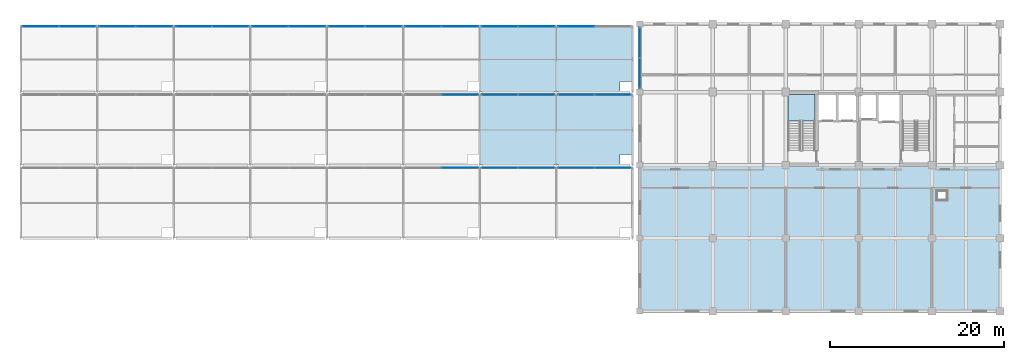
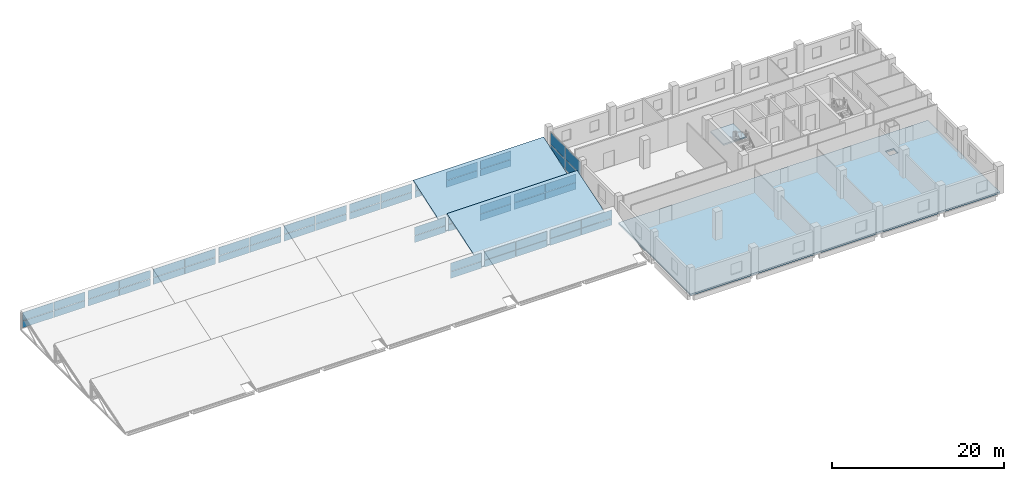
# One storey, part 28 of 40: 54 plates, 4 slabs, 17 elements without a shape of their own.
"""IFC4 building model written with IfcOpenShell, lengths in metres."""

from ifc_helpers import new_model, si_unit, direction, frame, origin, origin_2d, place, context, subcontext, project, spatial, polyline, rectangle, outline, extrude, material, layer, layer_set, type_object, element, aggregate, save


model = new_model("IFC4")

# Units and contexts
model_context = context("Model", 3, precision=1e-05, world=origin(), true_north=direction((0.0, 1.0)))
body_context = subcontext(model_context, "Body", "Model", "MODEL_VIEW")
ifc_project = project(units=[si_unit("LENGTHUNIT", "METRE"), si_unit("AREAUNIT", "SQUARE_METRE"), si_unit("VOLUMEUNIT", "CUBIC_METRE"), si_unit("PLANEANGLEUNIT", "RADIAN"), si_unit("MASSUNIT", "GRAM", prefix="KILO")], contexts=[model_context])

# Site, building, storey
site_placement = place(None, origin())
site = spatial("IfcSite", under=ifc_project, at=site_placement, CompositionType="ELEMENT")
building_placement = place(site_placement, origin())
building = spatial("IfcBuilding", under=site, at=building_placement, Name="Brinegate Botanical Conservatory", CompositionType="ELEMENT")
storey_placement = place(building_placement, frame((0.0, 0.0, 19.199951171875)))
storey = spatial("IfcBuildingStorey", under=building, at=storey_placement, Name="L05", CompositionType="ELEMENT", Elevation=19.199951171875)

# Curtain wall, plates
ifc_material_1 = material(Name="Thermally broken anodised aluminium AW-6063-T6", Category="aluminium")
curtain_wall_type_1 = type_object("IfcCurtainWallType", Name="CW_CW-TW1", PredefinedType="USERDEFINED", material=ifc_material_1)
curtain_wall_1_placement = place(storey_placement, origin())
curtain_wall_1 = element("IfcCurtainWall", 1, at=curtain_wall_1_placement, inside=storey, type_object=curtain_wall_type_1, Name="Tower north-west curtain wall L05", ObjectType="FACTORY CURTAIN WALL", PredefinedType="USERDEFINED")
ifc_material_2 = material(Name="Double-silver Low-E laminated safety glass", Category="glass")
ifc_layer_1 = layer(ifc_material_2, 0.035888671875, Name="Double-silver Low-E laminated safety glass", Category="glass")
ifc_layer_set_1 = layer_set([ifc_layer_1], Name="Double-silver Low-E laminated safety glass")
plate_type_1 = type_object("IfcPlateType", Name="Plate_PN-36", PredefinedType="CURTAIN_PANEL", material=ifc_layer_set_1)
plate_1_placement = place(storey_placement, frame((122.0, 105.77490234375, 0.0703125), z_axis=(0.0, 0.0, 1.0), x_axis=(0.0, 1.0, 0.0)))
plate_1 = element("IfcPlate", 2, at=plate_1_placement, type_object=plate_type_1, Name="CW-TW1 panel 1.1", PredefinedType="CURTAIN_PANEL", context=body_context, shape_type="SweptSolid", body=[
    extrude(rectangle(XDim=3.429931640625, YDim=0.035888671875, at=origin_2d()), origin(), (0.0, 0.0, 1.0), 1.388916015625),
])
plate_2_placement = place(storey_placement, frame((122.0, 105.77490234375, 1.529296875), z_axis=(0.0, 0.0, 1.0), x_axis=(0.0, 1.0, 0.0)))
plate_2 = element("IfcPlate", 3, at=plate_2_placement, type_object=plate_type_1, Name="CW-TW1 panel 1.2", PredefinedType="CURTAIN_PANEL", context=body_context, shape_type="SweptSolid", body=[
    extrude(rectangle(XDim=3.429931640625, YDim=0.035888671875, at=origin_2d()), origin(), (0.0, 0.0, 1.0), 1.720947265625),
])
plate_3_placement = place(storey_placement, frame((122.0, 109.27490234375, 0.0703125), z_axis=(0.0, 0.0, 1.0), x_axis=(0.0, 1.0, 0.0)))
plate_3 = element("IfcPlate", 4, at=plate_3_placement, type_object=plate_type_1, Name="CW-TW1 panel 2.1", PredefinedType="CURTAIN_PANEL", context=body_context, shape_type="SweptSolid", body=[
    extrude(rectangle(XDim=3.429931640625, YDim=0.035888671875, at=origin_2d()), origin(), (0.0, 0.0, 1.0), 1.388916015625),
])
plate_4_placement = place(storey_placement, frame((122.0, 109.27490234375, 1.529296875), z_axis=(0.0, 0.0, 1.0), x_axis=(0.0, 1.0, 0.0)))
plate_4 = element("IfcPlate", 5, at=plate_4_placement, type_object=plate_type_1, Name="CW-TW1 panel 2.2", PredefinedType="CURTAIN_PANEL", context=body_context, shape_type="SweptSolid", body=[
    extrude(rectangle(XDim=3.429931640625, YDim=0.035888671875, at=origin_2d()), origin(), (0.0, 0.0, 1.0), 1.720947265625),
])
aggregate(curtain_wall_1, [plate_1, plate_2, plate_3, plate_4])

curtain_wall_type_2 = type_object("IfcCurtainWallType", Name="CW_CW-SAW", PredefinedType="USERDEFINED", material=ifc_material_1)
curtain_wall_2_placement = place(storey_placement, origin())
curtain_wall_2 = element("IfcCurtainWall", 6, at=curtain_wall_2_placement, inside=storey, type_object=curtain_wall_type_2, Name="Sawtooth north-light clerestory B1.6", ObjectType="FACTORY CURTAIN WALL", PredefinedType="USERDEFINED")
ifc_layer_2 = layer(ifc_material_2, 0.0400390625, Name="Double-silver Low-E laminated safety glass", Category="glass")
ifc_layer_set_2 = layer_set([ifc_layer_2], Name="Double-silver Low-E laminated safety glass")
plate_type_2 = type_object("IfcPlateType", Name="Plate_PN-40", PredefinedType="CURTAIN_PANEL", material=ifc_layer_set_2)
plate_5_placement = place(storey_placement, frame((101.31005859375, 94.89990234375, 0.2099609375), z_axis=(0.0, 0.0, 1.0), x_axis=(1.0, 0.0, 0.0)))
plate_5 = element("IfcPlate", 7, at=plate_5_placement, type_object=plate_type_2, Name="CW-SAW panel 2.1", PredefinedType="CURTAIN_PANEL", context=body_context, shape_type="SweptSolid", body=[
    extrude(rectangle(XDim=4.159912109375, YDim=0.0400390625, at=origin_2d()), origin(), (0.0, 0.0, 1.0), 0.945068359375),
])
plate_6_placement = place(storey_placement, frame((101.31005859375, 94.89990234375, 1.21484375), z_axis=(0.0, 0.0, 1.0), x_axis=(1.0, 0.0, 0.0)))
plate_6 = element("IfcPlate", 8, at=plate_6_placement, type_object=plate_type_2, Name="CW-SAW panel 2.2", PredefinedType="CURTAIN_PANEL", context=body_context, shape_type="SweptSolid", body=[
    extrude(rectangle(XDim=4.159912109375, YDim=0.0400390625, at=origin_2d()), origin(), (0.0, 0.0, 1.0), 1.175048828125),
])
aggregate(curtain_wall_2, [plate_5, plate_6])

curtain_wall_3_placement = place(storey_placement, origin())
curtain_wall_3 = element("IfcCurtainWall", 9, at=curtain_wall_3_placement, inside=storey, type_object=curtain_wall_type_2, Name="Sawtooth north-light clerestory B1.7", ObjectType="FACTORY CURTAIN WALL", PredefinedType="USERDEFINED")
plate_7_placement = place(storey_placement, frame((105.889892578125, 94.89990234375, 0.2099609375), z_axis=(0.0, 0.0, 1.0), x_axis=(1.0, 0.0, 0.0)))
plate_7 = element("IfcPlate", 10, at=plate_7_placement, type_object=plate_type_2, Name="CW-SAW panel 1.1", PredefinedType="CURTAIN_PANEL", context=body_context, shape_type="SweptSolid", body=[
    extrude(rectangle(XDim=4.159912109375, YDim=0.0400390625, at=origin_2d()), origin(), (0.0, 0.0, 1.0), 0.945068359375),
])
plate_8_placement = place(storey_placement, frame((105.889892578125, 94.89990234375, 1.21484375), z_axis=(0.0, 0.0, 1.0), x_axis=(1.0, 0.0, 0.0)))
plate_8 = element("IfcPlate", 11, at=plate_8_placement, type_object=plate_type_2, Name="CW-SAW panel 1.2", PredefinedType="CURTAIN_PANEL", context=body_context, shape_type="SweptSolid", body=[
    extrude(rectangle(XDim=4.159912109375, YDim=0.0400390625, at=origin_2d()), origin(), (0.0, 0.0, 1.0), 1.175048828125),
])
plate_9_placement = place(storey_placement, frame((110.110107421875, 94.89990234375, 0.2099609375), z_axis=(0.0, 0.0, 1.0), x_axis=(1.0, 0.0, 0.0)))
plate_9 = element("IfcPlate", 12, at=plate_9_placement, type_object=plate_type_2, Name="CW-SAW panel 2.1", PredefinedType="CURTAIN_PANEL", context=body_context, shape_type="SweptSolid", body=[
    extrude(rectangle(XDim=4.159912109375, YDim=0.0400390625, at=origin_2d()), origin(), (0.0, 0.0, 1.0), 0.945068359375),
])
plate_10_placement = place(storey_placement, frame((110.110107421875, 94.89990234375, 1.21484375), z_axis=(0.0, 0.0, 1.0), x_axis=(1.0, 0.0, 0.0)))
plate_10 = element("IfcPlate", 13, at=plate_10_placement, type_object=plate_type_2, Name="CW-SAW panel 2.2", PredefinedType="CURTAIN_PANEL", context=body_context, shape_type="SweptSolid", body=[
    extrude(rectangle(XDim=4.159912109375, YDim=0.0400390625, at=origin_2d()), origin(), (0.0, 0.0, 1.0), 1.175048828125),
])
aggregate(curtain_wall_3, [plate_7, plate_8, plate_9, plate_10])

curtain_wall_4_placement = place(storey_placement, origin())
curtain_wall_4 = element("IfcCurtainWall", 14, at=curtain_wall_4_placement, inside=storey, type_object=curtain_wall_type_2, Name="Sawtooth north-light clerestory B1.8", ObjectType="FACTORY CURTAIN WALL", PredefinedType="USERDEFINED")
plate_11_placement = place(storey_placement, frame((114.677490234375, 94.89990234375, 0.2099609375), z_axis=(0.0, 0.0, 1.0), x_axis=(1.0, 0.0, 0.0)))
plate_11 = element("IfcPlate", 15, at=plate_11_placement, type_object=plate_type_2, Name="CW-SAW panel 1.1", PredefinedType="CURTAIN_PANEL", context=body_context, shape_type="SweptSolid", body=[
    extrude(rectangle(XDim=4.135009765625, YDim=0.0400390625, at=origin_2d()), origin(), (0.0, 0.0, 1.0), 0.945068359375),
])
plate_12_placement = place(storey_placement, frame((114.677490234375, 94.89990234375, 1.21484375), z_axis=(0.0, 0.0, 1.0), x_axis=(1.0, 0.0, 0.0)))
plate_12 = element("IfcPlate", 16, at=plate_12_placement, type_object=plate_type_2, Name="CW-SAW panel 1.2", PredefinedType="CURTAIN_PANEL", context=body_context, shape_type="SweptSolid", body=[
    extrude(rectangle(XDim=4.135009765625, YDim=0.0400390625, at=origin_2d()), origin(), (0.0, 0.0, 1.0), 1.175048828125),
])
plate_13_placement = place(storey_placement, frame((118.87255859375, 94.89990234375, 0.2099609375), z_axis=(0.0, 0.0, 1.0), x_axis=(1.0, 0.0, 0.0)))
plate_13 = element("IfcPlate", 17, at=plate_13_placement, type_object=plate_type_2, Name="CW-SAW panel 2.1", PredefinedType="CURTAIN_PANEL", context=body_context, shape_type="SweptSolid", body=[
    extrude(rectangle(XDim=4.135009765625, YDim=0.0400390625, at=origin_2d()), origin(), (0.0, 0.0, 1.0), 0.945068359375),
])
plate_14_placement = place(storey_placement, frame((118.87255859375, 94.89990234375, 1.21484375), z_axis=(0.0, 0.0, 1.0), x_axis=(1.0, 0.0, 0.0)))
plate_14 = element("IfcPlate", 18, at=plate_14_placement, type_object=plate_type_2, Name="CW-SAW panel 2.2", PredefinedType="CURTAIN_PANEL", context=body_context, shape_type="SweptSolid", body=[
    extrude(rectangle(XDim=4.135009765625, YDim=0.0400390625, at=origin_2d()), origin(), (0.0, 0.0, 1.0), 1.175048828125),
])
aggregate(curtain_wall_4, [plate_11, plate_12, plate_13, plate_14])

curtain_wall_5_placement = place(storey_placement, origin())
curtain_wall_5 = element("IfcCurtainWall", 19, at=curtain_wall_5_placement, inside=storey, type_object=curtain_wall_type_2, Name="Sawtooth north-light clerestory B2.6", ObjectType="FACTORY CURTAIN WALL", PredefinedType="USERDEFINED")
plate_15_placement = place(storey_placement, frame((101.31005859375, 103.300048828125, 0.2099609375), z_axis=(0.0, 0.0, 1.0), x_axis=(1.0, 0.0, 0.0)))
plate_15 = element("IfcPlate", 20, at=plate_15_placement, type_object=plate_type_2, Name="CW-SAW panel 2.1", PredefinedType="CURTAIN_PANEL", context=body_context, shape_type="SweptSolid", body=[
    extrude(rectangle(XDim=4.159912109375, YDim=0.0400390625, at=origin_2d()), origin(), (0.0, 0.0, 1.0), 0.945068359375),
])
plate_16_placement = place(storey_placement, frame((101.31005859375, 103.300048828125, 1.21484375), z_axis=(0.0, 0.0, 1.0), x_axis=(1.0, 0.0, 0.0)))
plate_16 = element("IfcPlate", 21, at=plate_16_placement, type_object=plate_type_2, Name="CW-SAW panel 2.2", PredefinedType="CURTAIN_PANEL", context=body_context, shape_type="SweptSolid", body=[
    extrude(rectangle(XDim=4.159912109375, YDim=0.0400390625, at=origin_2d()), origin(), (0.0, 0.0, 1.0), 1.175048828125),
])
aggregate(curtain_wall_5, [plate_15, plate_16])

curtain_wall_6_placement = place(storey_placement, origin())
curtain_wall_6 = element("IfcCurtainWall", 22, at=curtain_wall_6_placement, inside=storey, type_object=curtain_wall_type_2, Name="Sawtooth north-light clerestory B2.7", ObjectType="FACTORY CURTAIN WALL", PredefinedType="USERDEFINED")
plate_17_placement = place(storey_placement, frame((105.889892578125, 103.300048828125, 0.2099609375), z_axis=(0.0, 0.0, 1.0), x_axis=(1.0, 0.0, 0.0)))
plate_17 = element("IfcPlate", 23, at=plate_17_placement, type_object=plate_type_2, Name="CW-SAW panel 1.1", PredefinedType="CURTAIN_PANEL", context=body_context, shape_type="SweptSolid", body=[
    extrude(rectangle(XDim=4.159912109375, YDim=0.0400390625, at=origin_2d()), origin(), (0.0, 0.0, 1.0), 0.945068359375),
])
plate_18_placement = place(storey_placement, frame((105.889892578125, 103.300048828125, 1.21484375), z_axis=(0.0, 0.0, 1.0), x_axis=(1.0, 0.0, 0.0)))
plate_18 = element("IfcPlate", 24, at=plate_18_placement, type_object=plate_type_2, Name="CW-SAW panel 1.2", PredefinedType="CURTAIN_PANEL", context=body_context, shape_type="SweptSolid", body=[
    extrude(rectangle(XDim=4.159912109375, YDim=0.0400390625, at=origin_2d()), origin(), (0.0, 0.0, 1.0), 1.175048828125),
])
plate_19_placement = place(storey_placement, frame((110.110107421875, 103.300048828125, 0.2099609375), z_axis=(0.0, 0.0, 1.0), x_axis=(1.0, 0.0, 0.0)))
plate_19 = element("IfcPlate", 25, at=plate_19_placement, type_object=plate_type_2, Name="CW-SAW panel 2.1", PredefinedType="CURTAIN_PANEL", context=body_context, shape_type="SweptSolid", body=[
    extrude(rectangle(XDim=4.159912109375, YDim=0.0400390625, at=origin_2d()), origin(), (0.0, 0.0, 1.0), 0.945068359375),
])
plate_20_placement = place(storey_placement, frame((110.110107421875, 103.300048828125, 1.21484375), z_axis=(0.0, 0.0, 1.0), x_axis=(1.0, 0.0, 0.0)))
plate_20 = element("IfcPlate", 26, at=plate_20_placement, type_object=plate_type_2, Name="CW-SAW panel 2.2", PredefinedType="CURTAIN_PANEL", context=body_context, shape_type="SweptSolid", body=[
    extrude(rectangle(XDim=4.159912109375, YDim=0.0400390625, at=origin_2d()), origin(), (0.0, 0.0, 1.0), 1.175048828125),
])
aggregate(curtain_wall_6, [plate_17, plate_18, plate_19, plate_20])

curtain_wall_7_placement = place(storey_placement, origin())
curtain_wall_7 = element("IfcCurtainWall", 27, at=curtain_wall_7_placement, inside=storey, type_object=curtain_wall_type_2, Name="Sawtooth north-light clerestory B2.8", ObjectType="FACTORY CURTAIN WALL", PredefinedType="USERDEFINED")
plate_21_placement = place(storey_placement, frame((114.677490234375, 103.300048828125, 0.2099609375), z_axis=(0.0, 0.0, 1.0), x_axis=(1.0, 0.0, 0.0)))
plate_21 = element("IfcPlate", 28, at=plate_21_placement, type_object=plate_type_2, Name="CW-SAW panel 1.1", PredefinedType="CURTAIN_PANEL", context=body_context, shape_type="SweptSolid", body=[
    extrude(rectangle(XDim=4.135009765625, YDim=0.0400390625, at=origin_2d()), origin(), (0.0, 0.0, 1.0), 0.945068359375),
])
plate_22_placement = place(storey_placement, frame((114.677490234375, 103.300048828125, 1.21484375), z_axis=(0.0, 0.0, 1.0), x_axis=(1.0, 0.0, 0.0)))
plate_22 = element("IfcPlate", 29, at=plate_22_placement, type_object=plate_type_2, Name="CW-SAW panel 1.2", PredefinedType="CURTAIN_PANEL", context=body_context, shape_type="SweptSolid", body=[
    extrude(rectangle(XDim=4.135009765625, YDim=0.0400390625, at=origin_2d()), origin(), (0.0, 0.0, 1.0), 1.175048828125),
])
plate_23_placement = place(storey_placement, frame((118.87255859375, 103.300048828125, 0.2099609375), z_axis=(0.0, 0.0, 1.0), x_axis=(1.0, 0.0, 0.0)))
plate_23 = element("IfcPlate", 30, at=plate_23_placement, type_object=plate_type_2, Name="CW-SAW panel 2.1", PredefinedType="CURTAIN_PANEL", context=body_context, shape_type="SweptSolid", body=[
    extrude(rectangle(XDim=4.135009765625, YDim=0.0400390625, at=origin_2d()), origin(), (0.0, 0.0, 1.0), 0.945068359375),
])
plate_24_placement = place(storey_placement, frame((118.87255859375, 103.300048828125, 1.21484375), z_axis=(0.0, 0.0, 1.0), x_axis=(1.0, 0.0, 0.0)))
plate_24 = element("IfcPlate", 31, at=plate_24_placement, type_object=plate_type_2, Name="CW-SAW panel 2.2", PredefinedType="CURTAIN_PANEL", context=body_context, shape_type="SweptSolid", body=[
    extrude(rectangle(XDim=4.135009765625, YDim=0.0400390625, at=origin_2d()), origin(), (0.0, 0.0, 1.0), 1.175048828125),
])
aggregate(curtain_wall_7, [plate_21, plate_22, plate_23, plate_24])

curtain_wall_8_placement = place(storey_placement, origin())
curtain_wall_8 = element("IfcCurtainWall", 32, at=curtain_wall_8_placement, inside=storey, type_object=curtain_wall_type_2, Name="Sawtooth north-light clerestory B3.1", ObjectType="FACTORY CURTAIN WALL", PredefinedType="USERDEFINED")
plate_25_placement = place(storey_placement, frame((53.090087890625, 111.14990234375, 0.2099609375), z_axis=(0.0, 0.0, 1.0), x_axis=(1.0, 0.0, 0.0)))
plate_25 = element("IfcPlate", 33, at=plate_25_placement, type_object=plate_type_2, Name="CW-SAW panel 1.1", PredefinedType="CURTAIN_PANEL", context=body_context, shape_type="SweptSolid", body=[
    extrude(rectangle(XDim=4.159912109375, YDim=0.0400390625, at=origin_2d()), origin(), (0.0, 0.0, 1.0), 0.945068359375),
])
plate_26_placement = place(storey_placement, frame((53.090087890625, 111.14990234375, 1.21484375), z_axis=(0.0, 0.0, 1.0), x_axis=(1.0, 0.0, 0.0)))
plate_26 = element("IfcPlate", 34, at=plate_26_placement, type_object=plate_type_2, Name="CW-SAW panel 1.2", PredefinedType="CURTAIN_PANEL", context=body_context, shape_type="SweptSolid", body=[
    extrude(rectangle(XDim=4.159912109375, YDim=0.0400390625, at=origin_2d()), origin(), (0.0, 0.0, 1.0), 1.175048828125),
])
plate_27_placement = place(storey_placement, frame((57.31005859375, 111.14990234375, 0.2099609375), z_axis=(0.0, 0.0, 1.0), x_axis=(1.0, 0.0, 0.0)))
plate_27 = element("IfcPlate", 35, at=plate_27_placement, type_object=plate_type_2, Name="CW-SAW panel 2.1", PredefinedType="CURTAIN_PANEL", context=body_context, shape_type="SweptSolid", body=[
    extrude(rectangle(XDim=4.159912109375, YDim=0.0400390625, at=origin_2d()), origin(), (0.0, 0.0, 1.0), 0.945068359375),
])
plate_28_placement = place(storey_placement, frame((57.31005859375, 111.14990234375, 1.21484375), z_axis=(0.0, 0.0, 1.0), x_axis=(1.0, 0.0, 0.0)))
plate_28 = element("IfcPlate", 36, at=plate_28_placement, type_object=plate_type_2, Name="CW-SAW panel 2.2", PredefinedType="CURTAIN_PANEL", context=body_context, shape_type="SweptSolid", body=[
    extrude(rectangle(XDim=4.159912109375, YDim=0.0400390625, at=origin_2d()), origin(), (0.0, 0.0, 1.0), 1.175048828125),
])
aggregate(curtain_wall_8, [plate_25, plate_26, plate_27, plate_28])

curtain_wall_9_placement = place(storey_placement, origin())
curtain_wall_9 = element("IfcCurtainWall", 37, at=curtain_wall_9_placement, inside=storey, type_object=curtain_wall_type_2, Name="Sawtooth north-light clerestory B3.2", ObjectType="FACTORY CURTAIN WALL", PredefinedType="USERDEFINED")
plate_29_placement = place(storey_placement, frame((61.889892578125, 111.14990234375, 0.2099609375), z_axis=(0.0, 0.0, 1.0), x_axis=(1.0, 0.0, 0.0)))
plate_29 = element("IfcPlate", 38, at=plate_29_placement, type_object=plate_type_2, Name="CW-SAW panel 1.1", PredefinedType="CURTAIN_PANEL", context=body_context, shape_type="SweptSolid", body=[
    extrude(rectangle(XDim=4.159912109375, YDim=0.0400390625, at=origin_2d()), origin(), (0.0, 0.0, 1.0), 0.945068359375),
])
plate_30_placement = place(storey_placement, frame((61.889892578125, 111.14990234375, 1.21484375), z_axis=(0.0, 0.0, 1.0), x_axis=(1.0, 0.0, 0.0)))
plate_30 = element("IfcPlate", 39, at=plate_30_placement, type_object=plate_type_2, Name="CW-SAW panel 1.2", PredefinedType="CURTAIN_PANEL", context=body_context, shape_type="SweptSolid", body=[
    extrude(rectangle(XDim=4.159912109375, YDim=0.0400390625, at=origin_2d()), origin(), (0.0, 0.0, 1.0), 1.175048828125),
])
plate_31_placement = place(storey_placement, frame((66.110107421875, 111.14990234375, 0.2099609375), z_axis=(0.0, 0.0, 1.0), x_axis=(1.0, 0.0, 0.0)))
plate_31 = element("IfcPlate", 40, at=plate_31_placement, type_object=plate_type_2, Name="CW-SAW panel 2.1", PredefinedType="CURTAIN_PANEL", context=body_context, shape_type="SweptSolid", body=[
    extrude(rectangle(XDim=4.159912109375, YDim=0.0400390625, at=origin_2d()), origin(), (0.0, 0.0, 1.0), 0.945068359375),
])
plate_32_placement = place(storey_placement, frame((66.110107421875, 111.14990234375, 1.21484375), z_axis=(0.0, 0.0, 1.0), x_axis=(1.0, 0.0, 0.0)))
plate_32 = element("IfcPlate", 41, at=plate_32_placement, type_object=plate_type_2, Name="CW-SAW panel 2.2", PredefinedType="CURTAIN_PANEL", context=body_context, shape_type="SweptSolid", body=[
    extrude(rectangle(XDim=4.159912109375, YDim=0.0400390625, at=origin_2d()), origin(), (0.0, 0.0, 1.0), 1.175048828125),
])
aggregate(curtain_wall_9, [plate_29, plate_30, plate_31, plate_32])

curtain_wall_10_placement = place(storey_placement, origin())
curtain_wall_10 = element("IfcCurtainWall", 42, at=curtain_wall_10_placement, inside=storey, type_object=curtain_wall_type_2, Name="Sawtooth north-light clerestory B3.3", ObjectType="FACTORY CURTAIN WALL", PredefinedType="USERDEFINED")
plate_33_placement = place(storey_placement, frame((70.68994140625, 111.14990234375, 0.2099609375), z_axis=(0.0, 0.0, 1.0), x_axis=(1.0, 0.0, 0.0)))
plate_33 = element("IfcPlate", 43, at=plate_33_placement, type_object=plate_type_2, Name="CW-SAW panel 1.1", PredefinedType="CURTAIN_PANEL", context=body_context, shape_type="SweptSolid", body=[
    extrude(rectangle(XDim=4.159912109375, YDim=0.0400390625, at=origin_2d()), origin(), (0.0, 0.0, 1.0), 0.945068359375),
])
plate_34_placement = place(storey_placement, frame((70.68994140625, 111.14990234375, 1.21484375), z_axis=(0.0, 0.0, 1.0), x_axis=(1.0, 0.0, 0.0)))
plate_34 = element("IfcPlate", 44, at=plate_34_placement, type_object=plate_type_2, Name="CW-SAW panel 1.2", PredefinedType="CURTAIN_PANEL", context=body_context, shape_type="SweptSolid", body=[
    extrude(rectangle(XDim=4.159912109375, YDim=0.0400390625, at=origin_2d()), origin(), (0.0, 0.0, 1.0), 1.175048828125),
])
plate_35_placement = place(storey_placement, frame((74.909912109375, 111.14990234375, 0.2099609375), z_axis=(0.0, 0.0, 1.0), x_axis=(1.0, 0.0, 0.0)))
plate_35 = element("IfcPlate", 45, at=plate_35_placement, type_object=plate_type_2, Name="CW-SAW panel 2.1", PredefinedType="CURTAIN_PANEL", context=body_context, shape_type="SweptSolid", body=[
    extrude(rectangle(XDim=4.159912109375, YDim=0.0400390625, at=origin_2d()), origin(), (0.0, 0.0, 1.0), 0.945068359375),
])
plate_36_placement = place(storey_placement, frame((74.909912109375, 111.14990234375, 1.21484375), z_axis=(0.0, 0.0, 1.0), x_axis=(1.0, 0.0, 0.0)))
plate_36 = element("IfcPlate", 46, at=plate_36_placement, type_object=plate_type_2, Name="CW-SAW panel 2.2", PredefinedType="CURTAIN_PANEL", context=body_context, shape_type="SweptSolid", body=[
    extrude(rectangle(XDim=4.159912109375, YDim=0.0400390625, at=origin_2d()), origin(), (0.0, 0.0, 1.0), 1.175048828125),
])
aggregate(curtain_wall_10, [plate_33, plate_34, plate_35, plate_36])

curtain_wall_11_placement = place(storey_placement, origin())
curtain_wall_11 = element("IfcCurtainWall", 47, at=curtain_wall_11_placement, inside=storey, type_object=curtain_wall_type_2, Name="Sawtooth north-light clerestory B3.4", ObjectType="FACTORY CURTAIN WALL", PredefinedType="USERDEFINED")
plate_37_placement = place(storey_placement, frame((79.489990234375, 111.14990234375, 0.2099609375), z_axis=(0.0, 0.0, 1.0), x_axis=(1.0, 0.0, 0.0)))
plate_37 = element("IfcPlate", 48, at=plate_37_placement, type_object=plate_type_2, Name="CW-SAW panel 1.1", PredefinedType="CURTAIN_PANEL", context=body_context, shape_type="SweptSolid", body=[
    extrude(rectangle(XDim=4.159912109375, YDim=0.0400390625, at=origin_2d()), origin(), (0.0, 0.0, 1.0), 0.945068359375),
])
plate_38_placement = place(storey_placement, frame((79.489990234375, 111.14990234375, 1.21484375), z_axis=(0.0, 0.0, 1.0), x_axis=(1.0, 0.0, 0.0)))
plate_38 = element("IfcPlate", 49, at=plate_38_placement, type_object=plate_type_2, Name="CW-SAW panel 1.2", PredefinedType="CURTAIN_PANEL", context=body_context, shape_type="SweptSolid", body=[
    extrude(rectangle(XDim=4.159912109375, YDim=0.0400390625, at=origin_2d()), origin(), (0.0, 0.0, 1.0), 1.175048828125),
])
plate_39_placement = place(storey_placement, frame((83.7099609375, 111.14990234375, 0.2099609375), z_axis=(0.0, 0.0, 1.0), x_axis=(1.0, 0.0, 0.0)))
plate_39 = element("IfcPlate", 50, at=plate_39_placement, type_object=plate_type_2, Name="CW-SAW panel 2.1", PredefinedType="CURTAIN_PANEL", context=body_context, shape_type="SweptSolid", body=[
    extrude(rectangle(XDim=4.159912109375, YDim=0.0400390625, at=origin_2d()), origin(), (0.0, 0.0, 1.0), 0.945068359375),
])
plate_40_placement = place(storey_placement, frame((83.7099609375, 111.14990234375, 1.21484375), z_axis=(0.0, 0.0, 1.0), x_axis=(1.0, 0.0, 0.0)))
plate_40 = element("IfcPlate", 51, at=plate_40_placement, type_object=plate_type_2, Name="CW-SAW panel 2.2", PredefinedType="CURTAIN_PANEL", context=body_context, shape_type="SweptSolid", body=[
    extrude(rectangle(XDim=4.159912109375, YDim=0.0400390625, at=origin_2d()), origin(), (0.0, 0.0, 1.0), 1.175048828125),
])
aggregate(curtain_wall_11, [plate_37, plate_38, plate_39, plate_40])

curtain_wall_12_placement = place(storey_placement, origin())
curtain_wall_12 = element("IfcCurtainWall", 52, at=curtain_wall_12_placement, inside=storey, type_object=curtain_wall_type_2, Name="Sawtooth north-light clerestory B3.5", ObjectType="FACTORY CURTAIN WALL", PredefinedType="USERDEFINED")
plate_41_placement = place(storey_placement, frame((88.2900390625, 111.14990234375, 0.2099609375), z_axis=(0.0, 0.0, 1.0), x_axis=(1.0, 0.0, 0.0)))
plate_41 = element("IfcPlate", 53, at=plate_41_placement, type_object=plate_type_2, Name="CW-SAW panel 1.1", PredefinedType="CURTAIN_PANEL", context=body_context, shape_type="SweptSolid", body=[
    extrude(rectangle(XDim=4.159912109375, YDim=0.0400390625, at=origin_2d()), origin(), (0.0, 0.0, 1.0), 0.945068359375),
])
plate_42_placement = place(storey_placement, frame((88.2900390625, 111.14990234375, 1.21484375), z_axis=(0.0, 0.0, 1.0), x_axis=(1.0, 0.0, 0.0)))
plate_42 = element("IfcPlate", 54, at=plate_42_placement, type_object=plate_type_2, Name="CW-SAW panel 1.2", PredefinedType="CURTAIN_PANEL", context=body_context, shape_type="SweptSolid", body=[
    extrude(rectangle(XDim=4.159912109375, YDim=0.0400390625, at=origin_2d()), origin(), (0.0, 0.0, 1.0), 1.175048828125),
])
plate_43_placement = place(storey_placement, frame((92.510009765625, 111.14990234375, 0.2099609375), z_axis=(0.0, 0.0, 1.0), x_axis=(1.0, 0.0, 0.0)))
plate_43 = element("IfcPlate", 55, at=plate_43_placement, type_object=plate_type_2, Name="CW-SAW panel 2.1", PredefinedType="CURTAIN_PANEL", context=body_context, shape_type="SweptSolid", body=[
    extrude(rectangle(XDim=4.159912109375, YDim=0.0400390625, at=origin_2d()), origin(), (0.0, 0.0, 1.0), 0.945068359375),
])
plate_44_placement = place(storey_placement, frame((92.510009765625, 111.14990234375, 1.21484375), z_axis=(0.0, 0.0, 1.0), x_axis=(1.0, 0.0, 0.0)))
plate_44 = element("IfcPlate", 56, at=plate_44_placement, type_object=plate_type_2, Name="CW-SAW panel 2.2", PredefinedType="CURTAIN_PANEL", context=body_context, shape_type="SweptSolid", body=[
    extrude(rectangle(XDim=4.159912109375, YDim=0.0400390625, at=origin_2d()), origin(), (0.0, 0.0, 1.0), 1.175048828125),
])
aggregate(curtain_wall_12, [plate_41, plate_42, plate_43, plate_44])

curtain_wall_13_placement = place(storey_placement, origin())
curtain_wall_13 = element("IfcCurtainWall", 57, at=curtain_wall_13_placement, inside=storey, type_object=curtain_wall_type_2, Name="Sawtooth north-light clerestory B3.6", ObjectType="FACTORY CURTAIN WALL", PredefinedType="USERDEFINED")
plate_45_placement = place(storey_placement, frame((97.090087890625, 111.14990234375, 0.2099609375), z_axis=(0.0, 0.0, 1.0), x_axis=(1.0, 0.0, 0.0)))
plate_45 = element("IfcPlate", 58, at=plate_45_placement, type_object=plate_type_2, Name="CW-SAW panel 1.1", PredefinedType="CURTAIN_PANEL", context=body_context, shape_type="SweptSolid", body=[
    extrude(rectangle(XDim=4.159912109375, YDim=0.0400390625, at=origin_2d()), origin(), (0.0, 0.0, 1.0), 0.945068359375),
])
plate_46_placement = place(storey_placement, frame((97.090087890625, 111.14990234375, 1.21484375), z_axis=(0.0, 0.0, 1.0), x_axis=(1.0, 0.0, 0.0)))
plate_46 = element("IfcPlate", 59, at=plate_46_placement, type_object=plate_type_2, Name="CW-SAW panel 1.2", PredefinedType="CURTAIN_PANEL", context=body_context, shape_type="SweptSolid", body=[
    extrude(rectangle(XDim=4.159912109375, YDim=0.0400390625, at=origin_2d()), origin(), (0.0, 0.0, 1.0), 1.175048828125),
])
plate_47_placement = place(storey_placement, frame((101.31005859375, 111.14990234375, 0.2099609375), z_axis=(0.0, 0.0, 1.0), x_axis=(1.0, 0.0, 0.0)))
plate_47 = element("IfcPlate", 60, at=plate_47_placement, type_object=plate_type_2, Name="CW-SAW panel 2.1", PredefinedType="CURTAIN_PANEL", context=body_context, shape_type="SweptSolid", body=[
    extrude(rectangle(XDim=4.159912109375, YDim=0.0400390625, at=origin_2d()), origin(), (0.0, 0.0, 1.0), 0.945068359375),
])
plate_48_placement = place(storey_placement, frame((101.31005859375, 111.14990234375, 1.21484375), z_axis=(0.0, 0.0, 1.0), x_axis=(1.0, 0.0, 0.0)))
plate_48 = element("IfcPlate", 61, at=plate_48_placement, type_object=plate_type_2, Name="CW-SAW panel 2.2", PredefinedType="CURTAIN_PANEL", context=body_context, shape_type="SweptSolid", body=[
    extrude(rectangle(XDim=4.159912109375, YDim=0.0400390625, at=origin_2d()), origin(), (0.0, 0.0, 1.0), 1.175048828125),
])
aggregate(curtain_wall_13, [plate_45, plate_46, plate_47, plate_48])

curtain_wall_14_placement = place(storey_placement, origin())
curtain_wall_14 = element("IfcCurtainWall", 62, at=curtain_wall_14_placement, inside=storey, type_object=curtain_wall_type_2, Name="Sawtooth north-light clerestory B3.7", ObjectType="FACTORY CURTAIN WALL", PredefinedType="USERDEFINED")
plate_49_placement = place(storey_placement, frame((105.889892578125, 111.14990234375, 0.2099609375), z_axis=(0.0, 0.0, 1.0), x_axis=(1.0, 0.0, 0.0)))
plate_49 = element("IfcPlate", 63, at=plate_49_placement, type_object=plate_type_2, Name="CW-SAW panel 1.1", PredefinedType="CURTAIN_PANEL", context=body_context, shape_type="SweptSolid", body=[
    extrude(rectangle(XDim=4.159912109375, YDim=0.0400390625, at=origin_2d()), origin(), (0.0, 0.0, 1.0), 0.945068359375),
])
plate_50_placement = place(storey_placement, frame((105.889892578125, 111.14990234375, 1.21484375), z_axis=(0.0, 0.0, 1.0), x_axis=(1.0, 0.0, 0.0)))
plate_50 = element("IfcPlate", 64, at=plate_50_placement, type_object=plate_type_2, Name="CW-SAW panel 1.2", PredefinedType="CURTAIN_PANEL", context=body_context, shape_type="SweptSolid", body=[
    extrude(rectangle(XDim=4.159912109375, YDim=0.0400390625, at=origin_2d()), origin(), (0.0, 0.0, 1.0), 1.175048828125),
])
plate_51_placement = place(storey_placement, frame((110.110107421875, 111.14990234375, 0.2099609375), z_axis=(0.0, 0.0, 1.0), x_axis=(1.0, 0.0, 0.0)))
plate_51 = element("IfcPlate", 65, at=plate_51_placement, type_object=plate_type_2, Name="CW-SAW panel 2.1", PredefinedType="CURTAIN_PANEL", context=body_context, shape_type="SweptSolid", body=[
    extrude(rectangle(XDim=4.159912109375, YDim=0.0400390625, at=origin_2d()), origin(), (0.0, 0.0, 1.0), 0.945068359375),
])
plate_52_placement = place(storey_placement, frame((110.110107421875, 111.14990234375, 1.21484375), z_axis=(0.0, 0.0, 1.0), x_axis=(1.0, 0.0, 0.0)))
plate_52 = element("IfcPlate", 66, at=plate_52_placement, type_object=plate_type_2, Name="CW-SAW panel 2.2", PredefinedType="CURTAIN_PANEL", context=body_context, shape_type="SweptSolid", body=[
    extrude(rectangle(XDim=4.159912109375, YDim=0.0400390625, at=origin_2d()), origin(), (0.0, 0.0, 1.0), 1.175048828125),
])
aggregate(curtain_wall_14, [plate_49, plate_50, plate_51, plate_52])

curtain_wall_15_placement = place(storey_placement, origin())
curtain_wall_15 = element("IfcCurtainWall", 67, at=curtain_wall_15_placement, inside=storey, type_object=curtain_wall_type_2, Name="Sawtooth north-light clerestory B3.8", ObjectType="FACTORY CURTAIN WALL", PredefinedType="USERDEFINED")
plate_53_placement = place(storey_placement, frame((114.677490234375, 111.14990234375, 0.2099609375), z_axis=(0.0, 0.0, 1.0), x_axis=(1.0, 0.0, 0.0)))
plate_53 = element("IfcPlate", 68, at=plate_53_placement, type_object=plate_type_2, Name="CW-SAW panel 1.1", PredefinedType="CURTAIN_PANEL", context=body_context, shape_type="SweptSolid", body=[
    extrude(rectangle(XDim=4.135009765625, YDim=0.0400390625, at=origin_2d()), origin(), (0.0, 0.0, 1.0), 0.945068359375),
])
plate_54_placement = place(storey_placement, frame((114.677490234375, 111.14990234375, 1.21484375), z_axis=(0.0, 0.0, 1.0), x_axis=(1.0, 0.0, 0.0)))
plate_54 = element("IfcPlate", 69, at=plate_54_placement, type_object=plate_type_2, Name="CW-SAW panel 1.2", PredefinedType="CURTAIN_PANEL", context=body_context, shape_type="SweptSolid", body=[
    extrude(rectangle(XDim=4.135009765625, YDim=0.0400390625, at=origin_2d()), origin(), (0.0, 0.0, 1.0), 1.175048828125),
])
aggregate(curtain_wall_15, [plate_53, plate_54])

# Slab
ifc_material_3 = material(Name="Concrete C40/50", Category="concrete")
ifc_layer_3 = layer(ifc_material_3, 0.235107421875, Name="Concrete C40/50", Category="concrete")
ifc_layer_set_3 = layer_set([ifc_layer_3], Name="Concrete C40/50")
slab_type_1 = type_object("IfcSlabType", Name="Slab_SL-FL235", PredefinedType="FLOOR", material=ifc_layer_set_3)
slab_1_placement = place(storey_placement, frame((0.0, 0.0, -0.23486328125)))
element("IfcSlab", 70, at=slab_1_placement, inside=storey, type_object=slab_type_1, Name="Research Tower L05 south structural floor slab", PredefinedType="FLOOR", context=body_context, shape_type="SweptSolid", body=[
    extrude(outline(polyline([(163.60009765625, 78.39990234375), (122.0, 78.39990234375), (122.0, 95.199951171875), (163.60009765625, 95.199951171875), (163.60009765625, 78.39990234375)]), holes=[polyline([(156.199951171875, 91.199951171875), (157.300048828125, 91.199951171875), (157.300048828125, 92.199951171875), (156.199951171875, 92.199951171875), (156.199951171875, 91.199951171875)])]), origin(), (0.0, 0.0, 1.0), 0.23486328125),
])

# Stair, slab
stair_type = type_object("IfcStairType", Name="Stair_HT-4200", PredefinedType="HALF_TURN_STAIR", material=ifc_material_3)
stair_placement = place(storey_placement, origin())
stair = element("IfcStair", 71, at=stair_placement, inside=storey, type_object=stair_type, Name="L05 Tower West Smoke-Proof Stair ST1", PredefinedType="HALF_TURN_STAIR")
ifc_layer_4 = layer(ifc_material_3, 0.199951171875, Name="Concrete C40/50", Category="concrete")
ifc_layer_set_4 = layer_set([ifc_layer_4], Name="Concrete C40/50")
slab_type_2 = type_object("IfcSlabType", Name="Slab_SL-LD200", PredefinedType="LANDING", material=ifc_layer_set_4)
slab_2_placement = place(storey_placement, frame((0.0, 0.0, 1.900146484375)))
slab_2 = element("IfcSlab", 72, at=slab_2_placement, type_object=slab_type_2, Name="ST1 landing 1", PredefinedType="LANDING", context=body_context, shape_type="SweptSolid", body=[
    extrude(outline(polyline([(142.14990234375, 100.260009765625), (142.14990234375, 103.35009765625), (139.050048828125, 103.35009765625), (139.050048828125, 100.260009765625), (142.14990234375, 100.260009765625)])), origin(), (0.0, 0.0, 1.0), 0.199951171875),
])
aggregate(stair, [slab_2])

# Roof, slabs
roof_type = type_object("IfcRoofType", Name="Roof_SAWTOOTH", PredefinedType="SHED_ROOF", material=ifc_material_3)
roof_placement = place(storey_placement, origin())
roof = element("IfcRoof", 73, at=roof_placement, inside=storey, type_object=roof_type, Name="Visitor Wing north-light sawtooth roof assembly", PredefinedType="SHED_ROOF")
ifc_layer_5 = layer(ifc_material_3, 0.179931640625, Name="Concrete C40/50", Category="concrete")
ifc_layer_set_5 = layer_set([ifc_layer_5], Name="Concrete C40/50")
slab_type_3 = type_object("IfcSlabType", Name="Slab_SL-RF180", PredefinedType="ROOF", material=ifc_layer_set_5)
slab_3_placement = place(storey_placement, frame((103.60009765625, 95.199951171875, 0.179931640625), z_axis=(-6.66398e-06, -0.303930635815, 0.952694163186), x_axis=(0.999999999978, -2.025388e-06, 6.348734e-06)))
slab_3 = element("IfcSlab", 74, at=slab_3_placement, type_object=slab_type_3, Name="Visitor sawtooth roof deck bay 2.4", PredefinedType="ROOF", context=body_context, shape_type="SweptSolid", body=[
    extrude(outline(polyline([(0.0, 0.0), (16.149902343391403, 0.0), (16.149902344950128, 1.2596091259198015), (17.549804688669045, 1.2596091259198015), (17.54980468723466, 8.554846318810103), (1.2433547102324877e-10, 8.554846318810103), (0.0, 0.0)])), origin(), (0.0, 0.0, -1.0), 0.179931640625),
])
slab_4_placement = place(storey_placement, frame((103.60009765625, 103.60009765625, 0.179931640625), z_axis=(-3.046386e-06, -0.323703143637, 0.946158694295), x_axis=(0.999999999995, -9.86125e-07, 2.882365e-06)))
slab_4 = element("IfcSlab", 75, at=slab_4_placement, type_object=slab_type_3, Name="Visitor sawtooth roof deck bay 3.4", PredefinedType="ROOF", context=body_context, shape_type="SweptSolid", body=[
    extrude(outline(polyline([(0.0, 0.0), (16.149902343675063, -1.709937422511962e-21), (16.149902344000804, 1.2682711596879994), (17.549804687744306, 1.2682711596879994), (17.54980468744455, 8.032327264306508), (2.598349735987381e-11, 8.032327264306508), (0.0, 0.0)])), origin(), (0.0, 0.0, -1.0), 0.179931640625),
])
aggregate(roof, [slab_3, slab_4])

save(model, "model.ifc")
